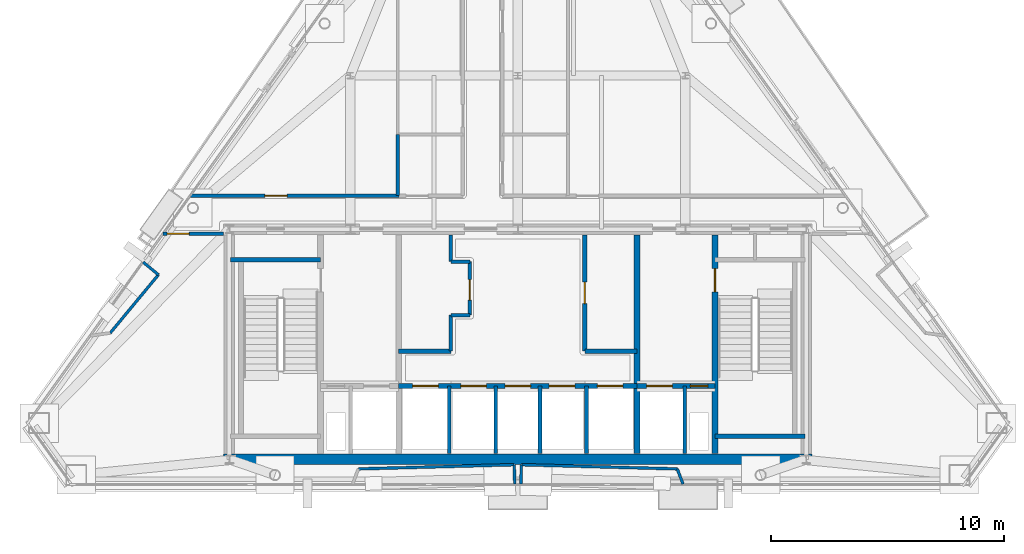
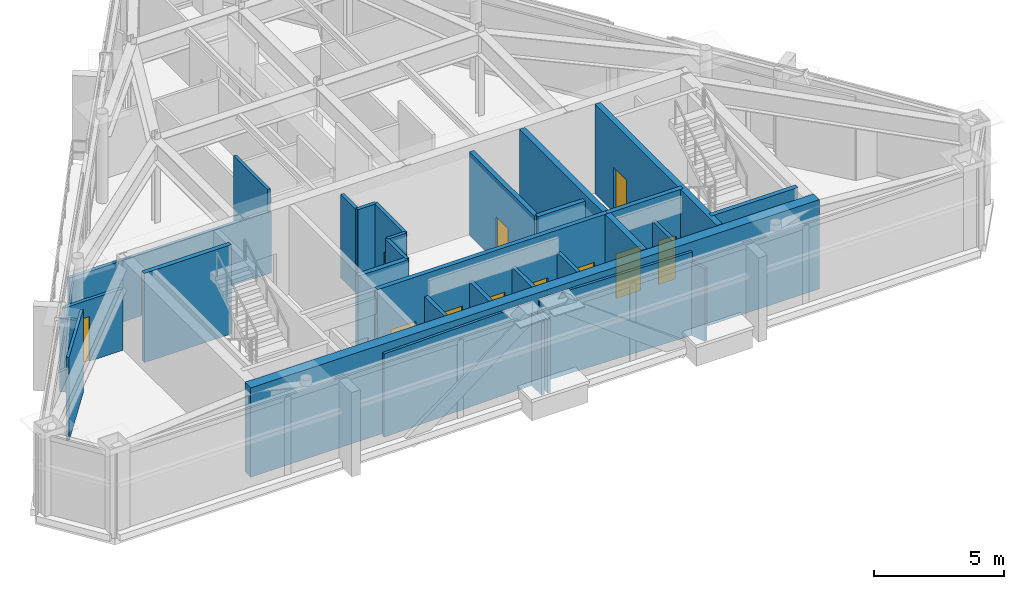
# One storey, part 6 of 10: 30 walls, 12 doors, 12 openings.
"""IFC4 building model written with IfcOpenShell, lengths in metres."""

from ifc_helpers import new_model, si_unit, direction, frame, frame_2d, origin, place, context, subcontext, project, spatial, rectangle, extrude, material, layer, layer_set, type_object, element, fill, save


model = new_model("IFC4")

# Units and contexts
model_context = context("Model", 3, precision=1e-05, world=origin(), true_north=direction((0.0, 1.0)))
body_context = subcontext(model_context, "Body", "Model", "MODEL_VIEW")
ifc_project = project(units=[si_unit("LENGTHUNIT", "METRE"), si_unit("AREAUNIT", "SQUARE_METRE"), si_unit("VOLUMEUNIT", "CUBIC_METRE"), si_unit("PLANEANGLEUNIT", "RADIAN"), si_unit("MASSUNIT", "GRAM", prefix="KILO")], contexts=[model_context])

# Site, building, storey
site_placement = place(None, origin())
site = spatial("IfcSite", under=ifc_project, at=site_placement, CompositionType="ELEMENT")
building_placement = place(site_placement, origin())
building = spatial("IfcBuilding", under=site, at=building_placement, Name="Talgorran Terracotta Tower", CompositionType="ELEMENT")
storey_placement = place(building_placement, frame((0.0, 0.0, 289.199951171875)))
storey = spatial("IfcBuildingStorey", under=building, at=storey_placement, Name="L76", CompositionType="ELEMENT", Elevation=289.199951171875)

# Walls
ifc_material_1 = material(Name="Concrete C50/60", Category="concrete")
ifc_layer_1 = layer(ifc_material_1, 0.199951171875, Name="WT_CORE_200")
ifc_layer_set_1 = layer_set([ifc_layer_1], Name="Concrete C50/60")
wall_type_1 = type_object("IfcWallType", Name="WT_CORE_200", PredefinedType="SOLIDWALL", material=ifc_layer_set_1)
for number, where, z_axis, x_axis, name in (
    (1, (-12.35009765625, -5.52001953125, 0.0), (0.0, 0.0, 1.0), (1.0, 0.0, 0.0), "WL-L76-CW-ST1-N"),
    (2, (8.47998046875, -13.10009765625, 0.0), (0.0, 0.0, 1.0), (1.0, 0.0, 0.0), "WL-L76-CW-ST2-S"),
):
    element("IfcWall", number, at=place(storey_placement, frame(where, z_axis=z_axis, x_axis=x_axis)), inside=storey, type_object=wall_type_1, Name=name, PredefinedType="SOLIDWALL", context=body_context, shape_type="SweptSolid", body=[
        extrude(rectangle(XDim=3.8701171875, YDim=0.199951171875, at=frame_2d((1.93505859375, 0.0))), origin(), (0.0, 0.0, 1.0), 4.199951171875),
    ])

# Wall, openings, doors
wall_1_placement = place(storey_placement, frame((-5.1201171875, -10.949951171875, 0.0), z_axis=(0.0, 0.0, 1.0), x_axis=(1.0, 0.0, 0.0)))
wall_1 = element("IfcWall", 3, at=wall_1_placement, inside=storey, type_object=wall_type_1, Name="WL-L76-CW-H-SBC", PredefinedType="SOLIDWALL", context=body_context, shape_type="SweptSolid", body=[
    extrude(rectangle(XDim=10.240234375, YDim=0.199951171875, at=frame_2d((5.1201171875, 0.0))), origin(), (0.0, 0.0, 1.0), 4.199951171875),
])
opening_1_placement = place(wall_1_placement, frame((0.60009765625, 0.0, 0.0)))
opening_1 = element("IfcOpeningElement", 4, at=opening_1_placement, cuts=wall_1, Name="Opening LD-OB1", PredefinedType="OPENING", context=body_context, shape_type="SweptSolid", body=[
    extrude(rectangle(XDim=1.10609765625, YDim=2.10409765625, at=frame_2d((0.550048828125, 1.052001953125))), frame((0.0, 0.10986328125, 0.0), z_axis=(0.0, -1.0, 0.0), x_axis=(1.0, 0.0, 0.0)), (0.0, 0.0, 1.0), 0.219970703125),
])
opening_2_placement = place(wall_1_placement, frame((2.669921875, 0.0, 0.0)))
opening_2 = element("IfcOpeningElement", 5, at=opening_2_placement, cuts=wall_1, Name="Opening LD-PLH1", PredefinedType="OPENING", context=body_context, shape_type="SweptSolid", body=[
    extrude(rectangle(XDim=1.10609765625, YDim=2.10409765625, at=frame_2d((0.550048828125, 1.052001953125))), frame((0.0, 0.10986328125, 0.0), z_axis=(0.0, -1.0, 0.0), x_axis=(1.0, 0.0, 0.0)), (0.0, 0.0, 1.0), 0.219970703125),
])
opening_3_placement = place(wall_1_placement, frame((4.570068359375, 0.0, 0.0)))
opening_3 = element("IfcOpeningElement", 6, at=opening_3_placement, cuts=wall_1, Name="Opening LD-PLH2", PredefinedType="OPENING", context=body_context, shape_type="SweptSolid", body=[
    extrude(rectangle(XDim=1.10609765625, YDim=2.10409765625, at=frame_2d((0.550048828125, 1.052001953125))), frame((0.0, 0.10986328125, 0.0), z_axis=(0.0, -1.0, 0.0), x_axis=(1.0, 0.0, 0.0)), (0.0, 0.0, 1.0), 0.219970703125),
])
opening_4_placement = place(wall_1_placement, frame((6.469970703125, 0.0, 0.0)))
opening_4 = element("IfcOpeningElement", 7, at=opening_4_placement, cuts=wall_1, Name="Opening LD-PLH3", PredefinedType="OPENING", context=body_context, shape_type="SweptSolid", body=[
    extrude(rectangle(XDim=1.10609765625, YDim=2.10409765625, at=frame_2d((0.550048828125, 1.052001953125))), frame((0.0, 0.10986328125, 0.0), z_axis=(0.0, -1.0, 0.0), x_axis=(1.0, 0.0, 0.0)), (0.0, 0.0, 1.0), 0.219970703125),
])
opening_5_placement = place(wall_1_placement, frame((8.5400390625, 0.0, 0.0)))
opening_5 = element("IfcOpeningElement", 8, at=opening_5_placement, cuts=wall_1, Name="Opening LD-SVL1", PredefinedType="OPENING", context=body_context, shape_type="SweptSolid", body=[
    extrude(rectangle(XDim=1.10609765625, YDim=2.10409765625, at=frame_2d((0.550048828125, 1.052001953125))), frame((0.0, 0.10986328125, 0.0), z_axis=(0.0, -1.0, 0.0), x_axis=(1.0, 0.0, 0.0)), (0.0, 0.0, 1.0), 0.219970703125),
])
ifc_material_2 = material(Name="Brushed Stainless Steel Grade 304", Category="steel")
door_type_1 = type_object("IfcDoorType", Name="DT_LIFT_LD1100", OperationType="DOUBLE_DOOR_SLIDING", PredefinedType="DOOR", material=ifc_material_2)
door_1_placement = place(opening_1_placement, origin())
door_1 = element("IfcDoor", 9, at=door_1_placement, inside=storey, type_object=door_type_1, Name="L76 Lift Landing Door LD-OB1", OperationType="DOUBLE_DOOR_SLIDING", OverallHeight=2.10009765625, OverallWidth=1.10009765625, PredefinedType="DOOR", context=body_context, shape_type="SweptSolid", body=[
    extrude(rectangle(XDim=1.10009765625, YDim=2.10009765625, at=frame_2d((0.550048828125, 1.050048828125))), frame((0.0, 0.02490234375, 0.0), z_axis=(0.0, -1.0, 0.0), x_axis=(1.0, 0.0, 0.0)), (0.0, 0.0, 1.0), 0.050048828125),
])
fill(opening_1, door_1)
door_2_placement = place(opening_2_placement, origin())
door_2 = element("IfcDoor", 10, at=door_2_placement, inside=storey, type_object=door_type_1, Name="L76 Lift Landing Door LD-PLH1", OperationType="DOUBLE_DOOR_SLIDING", OverallHeight=2.10009765625, OverallWidth=1.10009765625, PredefinedType="DOOR", context=body_context, shape_type="SweptSolid", body=[
    extrude(rectangle(XDim=1.10009765625, YDim=2.10009765625, at=frame_2d((0.550048828125, 1.050048828125))), frame((0.0, 0.02490234375, 0.0), z_axis=(0.0, -1.0, 0.0), x_axis=(1.0, 0.0, 0.0)), (0.0, 0.0, 1.0), 0.050048828125),
])
fill(opening_2, door_2)
door_3_placement = place(opening_3_placement, origin())
door_3 = element("IfcDoor", 11, at=door_3_placement, inside=storey, type_object=door_type_1, Name="L76 Lift Landing Door LD-PLH2", OperationType="DOUBLE_DOOR_SLIDING", OverallHeight=2.10009765625, OverallWidth=1.10009765625, PredefinedType="DOOR", context=body_context, shape_type="SweptSolid", body=[
    extrude(rectangle(XDim=1.10009765625, YDim=2.10009765625, at=frame_2d((0.550048828125, 1.050048828125))), frame((0.0, 0.02490234375, 0.0), z_axis=(0.0, -1.0, 0.0), x_axis=(1.0, 0.0, 0.0)), (0.0, 0.0, 1.0), 0.050048828125),
])
fill(opening_3, door_3)
door_4_placement = place(opening_4_placement, origin())
door_4 = element("IfcDoor", 12, at=door_4_placement, inside=storey, type_object=door_type_1, Name="L76 Lift Landing Door LD-PLH3", OperationType="DOUBLE_DOOR_SLIDING", OverallHeight=2.10009765625, OverallWidth=1.10009765625, PredefinedType="DOOR", context=body_context, shape_type="SweptSolid", body=[
    extrude(rectangle(XDim=1.10009765625, YDim=2.10009765625, at=frame_2d((0.550048828125, 1.050048828125))), frame((0.0, 0.02490234375, 0.0), z_axis=(0.0, -1.0, 0.0), x_axis=(1.0, 0.0, 0.0)), (0.0, 0.0, 1.0), 0.050048828125),
])
fill(opening_4, door_4)
door_5_placement = place(opening_5_placement, origin())
door_5 = element("IfcDoor", 13, at=door_5_placement, inside=storey, type_object=door_type_1, Name="L76 Lift Landing Door LD-SVL1", OperationType="DOUBLE_DOOR_SLIDING", OverallHeight=2.10009765625, OverallWidth=1.10009765625, PredefinedType="DOOR", context=body_context, shape_type="SweptSolid", body=[
    extrude(rectangle(XDim=1.10009765625, YDim=2.10009765625, at=frame_2d((0.550048828125, 1.050048828125))), frame((0.0, 0.02490234375, 0.0), z_axis=(0.0, -1.0, 0.0), x_axis=(1.0, 0.0, 0.0)), (0.0, 0.0, 1.0), 0.050048828125),
])
fill(opening_5, door_5)

wall_2_placement = place(storey_placement, frame((5.1201171875, -10.949951171875, 0.0), z_axis=(0.0, 0.0, 1.0), x_axis=(1.0, 0.0, 0.0)))
wall_2 = element("IfcWall", 14, at=wall_2_placement, inside=storey, type_object=wall_type_1, Name="WL-L76-CW-H-SBE", PredefinedType="SOLIDWALL", context=body_context, shape_type="SweptSolid", body=[
    extrude(rectangle(XDim=3.35986328125, YDim=0.199951171875, at=frame_2d((1.679931640625, 0.0))), origin(), (0.0, 0.0, 1.0), 4.199951171875),
])
opening_6_placement = place(wall_2_placement, frame((0.419921875, 0.0, 0.0)))
opening_6 = element("IfcOpeningElement", 15, at=opening_6_placement, cuts=wall_2, Name="Opening LD-FFL2", PredefinedType="OPENING", context=body_context, shape_type="SweptSolid", body=[
    extrude(rectangle(XDim=1.10609765625, YDim=2.10409765625, at=frame_2d((0.550048828125, 1.052001953125))), frame((0.0, 0.10986328125, 0.0), z_axis=(0.0, -1.0, 0.0), x_axis=(1.0, 0.0, 0.0)), (0.0, 0.0, 1.0), 0.219970703125),
])
opening_7_placement = place(wall_2_placement, frame((2.300048828125, 0.0, 0.0)))
opening_7 = element("IfcOpeningElement", 16, at=opening_7_placement, cuts=wall_2, Name="Opening DR-RSE", PredefinedType="OPENING", context=body_context, shape_type="SweptSolid", body=[
    extrude(rectangle(XDim=0.756, YDim=2.054048828125, at=frame_2d((0.375, 1.027099609375))), frame((0.0, 0.10986328125, 0.0), z_axis=(0.0, -1.0, 0.0), x_axis=(1.0, 0.0, 0.0)), (0.0, 0.0, 1.0), 0.219970703125),
])
door_6_placement = place(opening_6_placement, origin())
door_6 = element("IfcDoor", 17, at=door_6_placement, inside=storey, type_object=door_type_1, Name="L76 Lift Landing Door LD-FFL2", OperationType="DOUBLE_DOOR_SLIDING", OverallHeight=2.10009765625, OverallWidth=1.10009765625, PredefinedType="DOOR", context=body_context, shape_type="SweptSolid", body=[
    extrude(rectangle(XDim=1.10009765625, YDim=2.10009765625, at=frame_2d((0.550048828125, 1.050048828125))), frame((0.0, 0.02490234375, 0.0), z_axis=(0.0, -1.0, 0.0), x_axis=(1.0, 0.0, 0.0)), (0.0, 0.0, 1.0), 0.050048828125),
])
fill(opening_6, door_6)
ifc_material_3 = material(Name="Fire-Rated Pressed Steel", Category="steel")
door_type_2 = type_object("IfcDoorType", Name="DT_RISER_750", OperationType="NOTDEFINED", PredefinedType="DOOR", material=ifc_material_3)
door_7_placement = place(opening_7_placement, origin())
door_7 = element("IfcDoor", 18, at=door_7_placement, inside=storey, type_object=door_type_2, Name="DR-RSE", OperationType="SINGLE_SWING_RIGHT", OverallHeight=2.050048828125, OverallWidth=0.75, PredefinedType="DOOR", context=body_context, shape_type="SweptSolid", body=[
    extrude(rectangle(XDim=0.75, YDim=2.050048828125, at=frame_2d((0.375, 1.02490234375))), frame((0.0, 0.02490234375, 0.0), z_axis=(0.0, -1.0, 0.0), x_axis=(1.0, 0.0, 0.0)), (0.0, 0.0, 1.0), 0.050048828125),
])
fill(opening_7, door_7)

# Wall
wall_3_placement = place(storey_placement, frame((-5.1201171875, -9.449951171875, 0.0), z_axis=(0.0, 0.0, 1.0), x_axis=(1.0, 0.0, 0.0)))
element("IfcWall", 19, at=wall_3_placement, inside=storey, type_object=wall_type_1, Name="WL-L76-CW-H-W4", PredefinedType="SOLIDWALL", context=body_context, shape_type="SweptSolid", body=[
    extrude(rectangle(XDim=2.240234375, YDim=0.199951171875, at=frame_2d((1.1201171875, 0.0))), origin(), (0.0, 0.0, 1.0), 3.920166015625),
])

# Wall, opening, door
wall_4_placement = place(storey_placement, frame((2.8798828125, -9.449951171875, 0.0), z_axis=(0.0, 0.0, 1.0), x_axis=(0.0, 1.0, 0.0)))
wall_4 = element("IfcWall", 20, at=wall_4_placement, inside=storey, type_object=wall_type_1, Name="WL-L76-CW-V-E3", PredefinedType="SOLIDWALL", context=body_context, shape_type="SweptSolid", body=[
    extrude(rectangle(XDim=5.0, YDim=0.199951171875, at=frame_2d((2.5, 0.0))), origin(), (0.0, 0.0, 1.0), 3.920166015625),
])
opening_8_placement = place(wall_4_placement, frame((2.050048828125, 0.0, 0.0)))
opening_8 = element("IfcOpeningElement", 21, at=opening_8_placement, cuts=wall_4, Name="Opening DR-FRPLM-A", PredefinedType="OPENING", context=body_context, shape_type="SweptSolid", body=[
    extrude(rectangle(XDim=0.925921875, YDim=2.10409765625, at=frame_2d((0.4599609375, 1.052001953125))), frame((0.0, 0.10986328125, 0.0), z_axis=(0.0, -1.0, 0.0), x_axis=(1.0, 0.0, 0.0)), (0.0, 0.0, 1.0), 0.219970703125),
])
ifc_material_4 = material(Name="Solid-Core Painted Timber", Category="wood")
door_type_3 = type_object("IfcDoorType", Name="DT_INT_920", OperationType="NOTDEFINED", PredefinedType="DOOR", material=ifc_material_4)
door_8_placement = place(opening_8_placement, origin())
door_8 = element("IfcDoor", 22, at=door_8_placement, inside=storey, type_object=door_type_3, Name="DR-FRPLM-A", OperationType="SINGLE_SWING_RIGHT", OverallHeight=2.10009765625, OverallWidth=0.919921875, PredefinedType="DOOR", context=body_context, shape_type="SweptSolid", body=[
    extrude(rectangle(XDim=0.919921875, YDim=2.10009765625, at=frame_2d((0.4599609375, 1.050048828125))), frame((0.0, 0.02490234375, 0.0), z_axis=(0.0, -1.0, 0.0), x_axis=(1.0, 0.0, 0.0)), (0.0, 0.0, 1.0), 0.050048828125),
])
fill(opening_8, door_8)

# Wall
wall_5_placement = place(storey_placement, frame((2.8798828125, -9.449951171875, 0.0), z_axis=(0.0, 0.0, 1.0), x_axis=(1.0, 0.0, 0.0)))
element("IfcWall", 23, at=wall_5_placement, inside=storey, type_object=wall_type_1, Name="WL-L76-CW-H-E4", PredefinedType="SOLIDWALL", context=body_context, shape_type="SweptSolid", body=[
    extrude(rectangle(XDim=2.240234375, YDim=0.199951171875, at=frame_2d((1.1201171875, 0.0))), origin(), (0.0, 0.0, 1.0), 3.920166015625),
])

# Wall, opening, door
ifc_layer_2 = layer(ifc_material_1, 0.25, Name="WT_CORE_250")
ifc_layer_set_2 = layer_set([ifc_layer_2], Name="Concrete C50/60")
wall_type_2 = type_object("IfcWallType", Name="WT_CORE_250", PredefinedType="SHEAR", material=ifc_layer_set_2)
wall_6_placement = place(storey_placement, frame((8.47998046875, -13.85009765625, 0.0), z_axis=(0.0, 0.0, 1.0), x_axis=(0.0, 1.0, 0.0)))
wall_6 = element("IfcWall", 24, at=wall_6_placement, inside=storey, type_object=wall_type_2, Name="WL-L76-CW-V-E1", PredefinedType="SHEAR", context=body_context, shape_type="SweptSolid", body=[
    extrude(rectangle(XDim=9.400146484375, YDim=0.25, at=frame_2d((4.7001953125, 0.0))), origin(), (0.0, 0.0, 1.0), 4.199951171875),
])
opening_9_placement = place(wall_6_placement, frame((6.949951171875, 0.0, 0.0)))
opening_9 = element("IfcOpeningElement", 25, at=opening_9_placement, cuts=wall_6, Name="Opening DR-ST02", PredefinedType="OPENING", context=body_context, shape_type="SweptSolid", body=[
    extrude(rectangle(XDim=1.006, YDim=2.10409765625, at=frame_2d((0.5, 1.052001953125))), frame((0.0, 0.135009765625, 0.0), z_axis=(0.0, -1.0, 0.0), x_axis=(1.0, 0.0, 0.0)), (0.0, 0.0, 1.0), 0.27001953125),
])
door_type_4 = type_object("IfcDoorType", Name="DT_FIRE_1000", OperationType="NOTDEFINED", PredefinedType="DOOR", material=ifc_material_3)
door_9_placement = place(opening_9_placement, origin())
door_9 = element("IfcDoor", 26, at=door_9_placement, inside=storey, type_object=door_type_4, Name="DR-ST02", OperationType="SINGLE_SWING_RIGHT", OverallHeight=2.10009765625, OverallWidth=1.0, PredefinedType="DOOR", context=body_context, shape_type="SweptSolid", body=[
    extrude(rectangle(XDim=1.0, YDim=2.10009765625, at=frame_2d((0.5, 1.050048828125))), frame((0.0, 0.02490234375, 0.0), z_axis=(0.0, -1.0, 0.0), x_axis=(1.0, 0.0, 0.0)), (0.0, 0.0, 1.0), 0.050048828125),
])
fill(opening_9, door_9)

# Walls
wall_7_placement = place(storey_placement, frame((5.1201171875, -13.85009765625, 0.0), z_axis=(0.0, 0.0, 1.0), x_axis=(0.0, 1.0, 0.0)))
element("IfcWall", 27, at=wall_7_placement, inside=storey, type_object=wall_type_2, Name="WL-L76-CW-V-E2", PredefinedType="SHEAR", context=body_context, shape_type="SweptSolid", body=[
    extrude(rectangle(XDim=9.400146484375, YDim=0.25, at=frame_2d((4.7001953125, 0.0))), origin(), (0.0, 0.0, 1.0), 4.199951171875),
])
ifc_material_5 = material(Name="Concrete C65/80", Category="concrete")
ifc_layer_3 = layer(ifc_material_5, 0.449951171875, Name="WT_CORE_EXT")
ifc_layer_set_3 = layer_set([ifc_layer_3], Name="Concrete C65/80")
wall_type_3 = type_object("IfcWallType", Name="WT_CORE_EXT", PredefinedType="SHEAR", material=ifc_layer_set_3)
wall_8_placement = place(storey_placement, frame((-12.64990234375, -14.10009765625, 0.0), z_axis=(0.0, 0.0, 1.0), x_axis=(1.0, 0.0, 0.0)))
element("IfcWall", 28, at=wall_8_placement, inside=storey, type_object=wall_type_3, Name="WL-L76-CW-OUT-S", PredefinedType="SHEAR", context=body_context, shape_type="SweptSolid", body=[
    extrude(rectangle(XDim=25.2998046875, YDim=0.449951171875, at=frame_2d((12.64990234375, 0.0))), origin(), (0.0, 0.0, 1.0), 4.199951171875),
])
ifc_material_6 = material(Name="Fire-Rated Steel Stud Plasterboard", Category="steel")
ifc_layer_4 = layer(ifc_material_6, 0.14990234375, Name="WT_FIRE_150")
ifc_layer_set_4 = layer_set([ifc_layer_4], Name="Fire-Rated Steel Stud Plasterboard")
wall_type_4 = type_object("IfcWallType", Name="WT_FIRE_150", PredefinedType="PARTITIONING", material=ifc_layer_set_4)
wall_9_placement = place(storey_placement, frame((-2.8798828125, -9.449951171875, 0.0), z_axis=(0.0, 0.0, 1.0), x_axis=(0.0, 1.0, 0.0)))
element("IfcWall", 29, at=wall_9_placement, inside=storey, type_object=wall_type_4, Name="WL-L76-CW-V-W3A", PredefinedType="PARTITIONING", context=body_context, shape_type="SweptSolid", body=[
    extrude(rectangle(XDim=1.550048828125, YDim=0.14990234375, at=frame_2d((0.77490234375, 0.0))), origin(), (0.0, 0.0, 1.0), 3.920166015625),
])
wall_10_placement = place(storey_placement, frame((-2.8798828125, -7.89990234375, 0.0), z_axis=(0.0, 0.0, 1.0), x_axis=(1.0, 0.0, 0.0)))
element("IfcWall", 30, at=wall_10_placement, inside=storey, type_object=wall_type_4, Name="WL-L76-CW-H-W3B", PredefinedType="PARTITIONING", context=body_context, shape_type="SweptSolid", body=[
    extrude(rectangle(XDim=0.81982421875, YDim=0.14990234375, at=frame_2d((0.409912109375, 0.0))), origin(), (0.0, 0.0, 1.0), 3.920166015625),
])

# Wall, opening, door
wall_11_placement = place(storey_placement, frame((-2.06005859375, -7.89990234375, 0.0), z_axis=(0.0, 0.0, 1.0), x_axis=(0.0, 1.0, 0.0)))
wall_11 = element("IfcWall", 31, at=wall_11_placement, inside=storey, type_object=wall_type_4, Name="WL-L76-CW-V-W3C", PredefinedType="PARTITIONING", context=body_context, shape_type="SweptSolid", body=[
    extrude(rectangle(XDim=2.2998046875, YDim=0.14990234375, at=frame_2d((1.14990234375, 0.0))), origin(), (0.0, 0.0, 1.0), 3.920166015625),
])
opening_10_placement = place(wall_11_placement, frame((0.64990234375, 0.0, 0.0)))
opening_10 = element("IfcOpeningElement", 32, at=opening_10_placement, cuts=wall_11, Name="Opening DR-FRPLL-B", PredefinedType="OPENING", context=body_context, shape_type="SweptSolid", body=[
    extrude(rectangle(XDim=0.8858828125, YDim=2.10409765625, at=frame_2d((0.43994140625, 1.052001953125))), frame((0.0, 0.0849609375, 0.0), z_axis=(0.0, -1.0, 0.0), x_axis=(1.0, 0.0, 0.0)), (0.0, 0.0, 1.0), 0.169921875),
])
door_type_5 = type_object("IfcDoorType", Name="DT_INT_880", OperationType="NOTDEFINED", PredefinedType="DOOR", material=ifc_material_4)
door_10_placement = place(opening_10_placement, origin())
door_10 = element("IfcDoor", 33, at=door_10_placement, inside=storey, type_object=door_type_5, Name="DR-FRPLL-B", OperationType="SINGLE_SWING_LEFT", OverallHeight=2.10009765625, OverallWidth=0.8798828125, PredefinedType="DOOR", context=body_context, shape_type="SweptSolid", body=[
    extrude(rectangle(XDim=0.8798828125, YDim=2.10009765625, at=frame_2d((0.43994140625, 1.050048828125))), frame((0.0, 0.02490234375, 0.0), z_axis=(0.0, -1.0, 0.0), x_axis=(1.0, 0.0, 0.0)), (0.0, 0.0, 1.0), 0.050048828125),
])
fill(opening_10, door_10)

# Walls
wall_12_placement = place(storey_placement, frame((-2.8798828125, -5.60009765625, 0.0), z_axis=(0.0, 0.0, 1.0), x_axis=(1.0, 0.0, 0.0)))
element("IfcWall", 34, at=wall_12_placement, inside=storey, type_object=wall_type_4, Name="WL-L76-CW-H-W3D", PredefinedType="PARTITIONING", context=body_context, shape_type="SweptSolid", body=[
    extrude(rectangle(XDim=0.81982421875, YDim=0.14990234375, at=frame_2d((0.409912109375, 0.0))), origin(), (0.0, 0.0, 1.0), 3.920166015625),
])
wall_13_placement = place(storey_placement, frame((-2.8798828125, -5.60009765625, 0.0), z_axis=(0.0, 0.0, 1.0), x_axis=(0.0, 1.0, 0.0)))
element("IfcWall", 35, at=wall_13_placement, inside=storey, type_object=wall_type_4, Name="WL-L76-CW-V-W3E", PredefinedType="PARTITIONING", context=body_context, shape_type="SweptSolid", body=[
    extrude(rectangle(XDim=1.150146484375, YDim=0.14990234375, at=frame_2d((0.5751953125, 0.0))), origin(), (0.0, 0.0, 1.0), 3.920166015625),
])

# Wall, opening, door
wall_14_placement = place(storey_placement, frame((-14.082275390625, -2.760009765625, 0.0), z_axis=(0.0, 0.0, 1.0), x_axis=(1.0, 0.0, 0.0)))
wall_14 = element("IfcWall", 36, at=wall_14_placement, inside=storey, type_object=wall_type_4, Name="WL-L76-W-L76-R07", PredefinedType="PARTITIONING", context=body_context, shape_type="SweptSolid", body=[
    extrude(rectangle(XDim=8.982177734375, YDim=0.14990234375, at=frame_2d((4.4912109375, 0.0))), origin(), (0.0, 0.0, 1.0), 2.89501953125),
])
opening_11_placement = place(wall_14_placement, frame((3.208984375, 0.0, 0.0)))
opening_11 = element("IfcOpeningElement", 37, at=opening_11_placement, cuts=wall_14, Name="Opening DR-L76-R05", PredefinedType="OPENING", context=body_context, shape_type="SweptSolid", body=[
    extrude(rectangle(XDim=0.955951171875, YDim=2.10409765625, at=frame_2d((0.47509765625, 1.052001953125))), frame((0.0, 0.0849609375, 0.0), z_axis=(0.0, -1.0, 0.0), x_axis=(1.0, 0.0, 0.0)), (0.0, 0.0, 1.0), 0.169921875),
])
ifc_material_7 = material(Name="Fire-Rated Timber Core", Category="wood")
door_type_6 = type_object("IfcDoorType", Name="DT_FIRE_950", OperationType="NOTDEFINED", PredefinedType="DOOR", material=ifc_material_7)
door_11_placement = place(opening_11_placement, origin())
door_11 = element("IfcDoor", 38, at=door_11_placement, inside=storey, type_object=door_type_6, Name="DR-L76-R05", OperationType="SINGLE_SWING_LEFT", OverallHeight=2.10009765625, OverallWidth=0.949951171875, PredefinedType="DOOR", context=body_context, shape_type="SweptSolid", body=[
    extrude(rectangle(XDim=0.949951171875, YDim=2.10009765625, at=frame_2d((0.47509765625, 1.050048828125))), frame((0.0, 0.02490234375, 0.0), z_axis=(0.0, -1.0, 0.0), x_axis=(1.0, 0.0, 0.0)), (0.0, 0.0, 1.0), 0.050048828125),
])
fill(opening_11, door_11)

wall_15_placement = place(storey_placement, frame((-15.25390625, -4.39990234375, 0.0), z_axis=(0.0, 0.0, 1.0), x_axis=(1.0, 0.0, 0.0)))
wall_15 = element("IfcWall", 39, at=wall_15_placement, inside=storey, type_object=wall_type_4, Name="WL-L76-W-L76-R01", PredefinedType="PARTITIONING", context=body_context, shape_type="SweptSolid", body=[
    extrude(rectangle(XDim=2.601806640625, YDim=0.14990234375, at=frame_2d((1.30078125, 0.0))), origin(), (0.0, 0.0, 1.0), 2.89501953125),
])
opening_12_placement = place(wall_15_placement, frame((0.173828125, 0.0, 0.0)))
opening_12 = element("IfcOpeningElement", 40, at=opening_12_placement, cuts=wall_15, Name="Opening DR-L76-R01", PredefinedType="OPENING", context=body_context, shape_type="SweptSolid", body=[
    extrude(rectangle(XDim=0.955951171875, YDim=2.10409765625, at=frame_2d((0.47509765625, 1.052001953125))), frame((0.0, 0.0849609375, 0.0), z_axis=(0.0, -1.0, 0.0), x_axis=(1.0, 0.0, 0.0)), (0.0, 0.0, 1.0), 0.169921875),
])
door_12_placement = place(opening_12_placement, origin())
door_12 = element("IfcDoor", 41, at=door_12_placement, inside=storey, type_object=door_type_6, Name="DR-L76-R01", OperationType="SINGLE_SWING_LEFT", OverallHeight=2.10009765625, OverallWidth=0.949951171875, PredefinedType="DOOR", context=body_context, shape_type="SweptSolid", body=[
    extrude(rectangle(XDim=0.949951171875, YDim=2.10009765625, at=frame_2d((0.47509765625, 1.050048828125))), frame((0.0, 0.02490234375, 0.0), z_axis=(0.0, -1.0, 0.0), x_axis=(1.0, 0.0, 0.0)), (0.0, 0.0, 1.0), 0.050048828125),
])
fill(opening_12, door_12)

# Walls
ifc_material_8 = material(Name="Insulated Steel Stud Plasterboard", Category="steel")
ifc_layer_5 = layer(ifc_material_8, 0.1201171875, Name="WT_PART_120")
ifc_layer_set_5 = layer_set([ifc_layer_5], Name="Insulated Steel Stud Plasterboard")
wall_type_5 = type_object("IfcWallType", Name="WT_PART_120", PredefinedType="PARTITIONING", material=ifc_layer_set_5)
for number, where, z_axis, x_axis, name in (
    (42, (-6.85498046875, -14.51171875, 0.0), (0.0, 0.0, 1.0), (0.999645500476, 0.026624676122, 0.0), "WL-L76-BW-L76-01"),
    (43, (0.154296875, -14.333251953125, 0.0), (0.0, 0.0, 1.0), (0.999645500476, -0.026624676122, 0.0), "WL-L76-BW-L76-05"),
):
    element("IfcWall", number, at=place(storey_placement, frame(where, z_axis=z_axis, x_axis=x_axis)), inside=storey, type_object=wall_type_5, Name=name, PredefinedType="PARTITIONING", context=body_context, shape_type="SweptSolid", body=[
        extrude(rectangle(XDim=6.703125, YDim=0.1201171875, at=frame_2d((3.3515625, 0.0))), origin(), (0.0, 0.0, 1.0), 3.920166015625),
    ])
wall_16_placement = place(storey_placement, frame((-15.45263671875, -6.164306640625, 0.0), z_axis=(0.0, 0.0, 1.0), x_axis=(-0.63764463782, -0.770330653589, 0.0)))
element("IfcWall", 44, at=wall_16_placement, inside=storey, type_object=wall_type_5, Name="WL-L76-BW-L76-08", PredefinedType="PARTITIONING", context=body_context, shape_type="SweptSolid", body=[
    extrude(rectangle(XDim=3.24755859375, YDim=0.1201171875, at=frame_2d((1.623779296875, 0.0))), origin(), (0.0, 0.0, 1.0), 3.920166015625),
])
wall_17_placement = place(storey_placement, frame((-16.11181640625, -5.618408203125, 0.0), z_axis=(0.0, 0.0, 1.0), x_axis=(0.770181697766, -0.637824546742, 0.0)))
element("IfcWall", 45, at=wall_17_placement, inside=storey, type_object=wall_type_5, Name="WL-L76-BW-L76-07", PredefinedType="PARTITIONING", context=body_context, shape_type="SweptSolid", body=[
    extrude(rectangle(XDim=0.85595703125, YDim=0.1201171875, at=frame_2d((0.427978515625, 0.0))), origin(), (0.0, 0.0, 1.0), 3.43798828125),
])
for number, where, z_axis, x_axis, name in (
    (46, (-0.154296875, -14.333251953125, 0.0), (0.0, 0.0, 1.0), (0.026723707425, -0.999642857956, 0.0), "WL-L76-BW-L76-02"),
    (47, (0.132080078125, -15.164306640625, 0.0), (0.0, 0.0, 1.0), (0.026723707425, 0.999642857956, 0.0), "WL-L76-BW-L76-04"),
):
    element("IfcWall", number, at=place(storey_placement, frame(where, z_axis=z_axis, x_axis=x_axis)), inside=storey, type_object=wall_type_5, Name=name, PredefinedType="PARTITIONING", context=body_context, shape_type="SweptSolid", body=[
        extrude(rectangle(XDim=0.831298828125, YDim=0.1201171875, at=frame_2d((0.41552734375, 0.0))), origin(), (0.0, 0.0, 1.0), 3.43798828125),
    ])
wall_18_placement = place(storey_placement, frame((6.85498046875, -14.51171875, 0.0), z_axis=(0.0, 0.0, 1.0), x_axis=(0.356518525532, -0.934288253674, 0.0)))
element("IfcWall", 48, at=wall_18_placement, inside=storey, type_object=wall_type_5, Name="WL-L76-BW-L76-06", PredefinedType="PARTITIONING", context=body_context, shape_type="SweptSolid", body=[
    extrude(rectangle(XDim=0.698486328125, YDim=0.1201171875, at=frame_2d((0.34912109375, 0.0))), origin(), (0.0, 0.0, 1.0), 3.43798828125),
])
ifc_material_9 = material(Name="Moisture-Resistant Stud Wall")
ifc_layer_6 = layer(ifc_material_9, 0.135009765625, Name="WT_PART_135")
ifc_layer_set_6 = layer_set([ifc_layer_6], Name="Moisture-Resistant Stud Wall")
wall_type_6 = type_object("IfcWallType", Name="WT_PART_135", PredefinedType="PARTITIONING", material=ifc_layer_set_6)
wall_19_placement = place(storey_placement, frame((-5.159912109375, -2.760009765625, 0.0), z_axis=(0.0, 0.0, 1.0), x_axis=(0.0, 1.0, 0.0)))
element("IfcWall", 49, at=wall_19_placement, inside=storey, type_object=wall_type_6, Name="WL-L76-W-L76-R17", PredefinedType="PARTITIONING", context=body_context, shape_type="SweptSolid", body=[
    extrude(rectangle(XDim=2.6201171875, YDim=0.135009765625, at=frame_2d((1.31005859375, 0.0))), origin(), (0.0, 0.0, 1.0), 3.920166015625),
])
ifc_material_10 = material(Name="Fire-Rated Shaftwall")
ifc_layer_7 = layer(ifc_material_10, 0.159912109375, Name="WT_PART_150")
ifc_layer_set_7 = layer_set([ifc_layer_7], Name="Fire-Rated Shaftwall")
wall_type_7 = type_object("IfcWallType", Name="WT_PART_150", PredefinedType="PARTITIONING", material=ifc_layer_set_7)
for number, where, z_axis, x_axis, name in (
    (50, (7.179931640625, -13.85009765625, 0.0), (0.0, 0.0, 1.0), (0.0, 1.0, 0.0), "WL-L76-CW-RSE"),
    (51, (-2.949951171875, -13.85009765625, 0.0), (0.0, 0.0, 1.0), (0.0, 1.0, 0.0), "WL-L76-CW-OB-E"),
    (52, (2.949951171875, -13.85009765625, 0.0), (0.0, 0.0, 1.0), (0.0, 1.0, 0.0), "WL-L76-CW-SV-W"),
    (53, (-0.949951171875, -13.85009765625, 0.0), (0.0, 0.0, 1.0), (0.0, 1.0, 0.0), "WL-L76-CW-PLH-D1"),
    (54, (0.949951171875, -13.85009765625, 0.0), (0.0, 0.0, 1.0), (0.0, 1.0, 0.0), "WL-L76-CW-PLH-D2"),
):
    element("IfcWall", number, at=place(storey_placement, frame(where, z_axis=z_axis, x_axis=x_axis)), inside=storey, type_object=wall_type_7, Name=name, PredefinedType="PARTITIONING", context=body_context, shape_type="SweptSolid", body=[
        extrude(rectangle(XDim=2.900146484375, YDim=0.159912109375, at=frame_2d((1.4501953125, 0.0))), origin(), (0.0, 0.0, 1.0), 3.14501953125),
    ])

save(model, "model.ifc")
